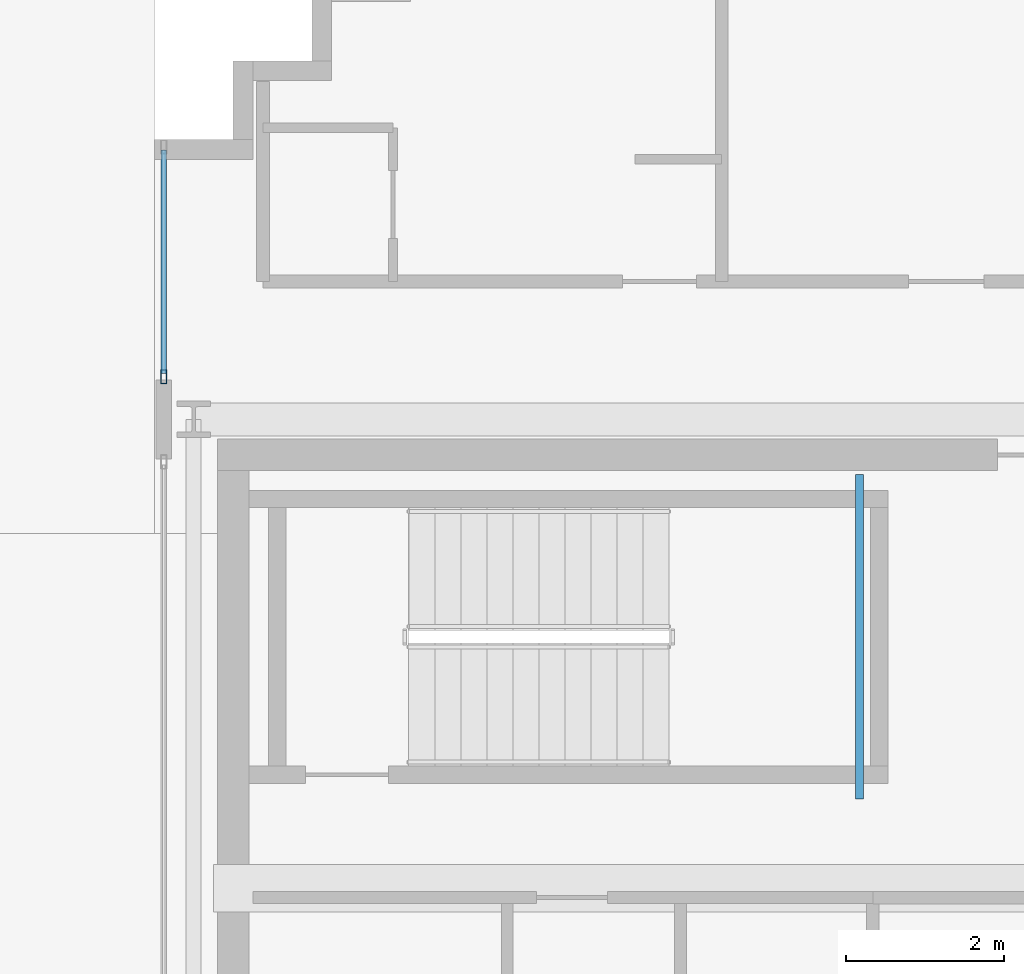
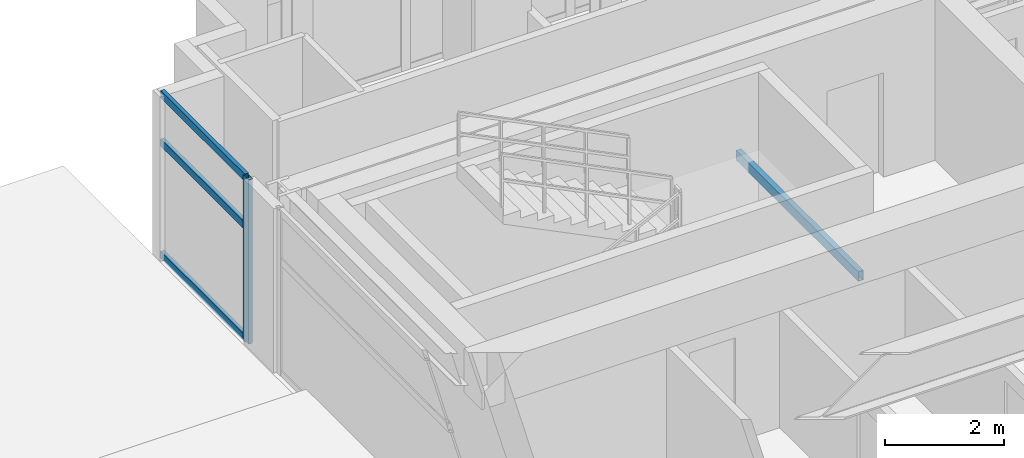
# One storey, part 13 of 25: 4 members, 1 beam, 1 element without a shape of its own.
"""IFC4 building model written with IfcOpenShell, lengths in metres."""

from ifc_helpers import new_model, si_unit, direction, frame, origin, origin_2d, place, context, subcontext, project, spatial, hollow_rectangle, extrude, source, transform, mapped, material, layer, layer_set, material_profile, profile_set, type_object, element, aggregate, save


model = new_model("IFC4")

# Units and contexts
model_context = context("Model", 3, precision=1e-05, world=origin(), true_north=direction((0.0, 1.0)))
body_context = subcontext(model_context, "Body", "Model", "MODEL_VIEW")
ifc_project = project(units=[si_unit("LENGTHUNIT", "METRE"), si_unit("AREAUNIT", "SQUARE_METRE"), si_unit("VOLUMEUNIT", "CUBIC_METRE"), si_unit("PLANEANGLEUNIT", "RADIAN"), si_unit("MASSUNIT", "GRAM", prefix="KILO")], contexts=[model_context])

# Site, building, storey
site_placement = place(None, origin())
site = spatial("IfcSite", under=ifc_project, at=site_placement, CompositionType="ELEMENT")
building_placement = place(site_placement, origin())
building = spatial("IfcBuilding", under=site, at=building_placement, Name="Ocotamira Hotel", CompositionType="ELEMENT")
storey_placement = place(building_placement, frame((0.0, 0.0, 250.800048828125)))
storey = spatial("IfcBuildingStorey", under=building, at=storey_placement, Name="L63", CompositionType="ELEMENT", Elevation=250.800048828125)

# Beam
ifc_material_1 = material(Name="Steel ASTM A500 Grade C", Category="steel")
ifc_material_profile_1 = material_profile(ifc_material_1, hollow_rectangle(XDim=0.10009765625, YDim=0.199951171875, WallThickness=0.008056640625, at=origin_2d()), Name="HSS200X100X8")
ifc_profile_set_1 = profile_set([ifc_material_profile_1], Name="Steel ASTM A500 Grade C")
beam_type = type_object("IfcBeamType", Name="BM-STLDG-HSS200", PredefinedType="BEAM", material=ifc_profile_set_1)
shared_shape_1 = source(origin(), body_context, "Body", "SweptSolid", [
    extrude(hollow_rectangle(XDim=0.10009765625, YDim=0.199951171875, WallThickness=0.008056640625, at=origin_2d()), origin(), (0.0, 0.0, 1.0), 4.1201171875),
])
beam_placement = place(storey_placement, frame((48.949951171875, 32.6298828125, 1.5), z_axis=(0.0, 1.0, 0.0), x_axis=(-1.0, 0.0, 0.0)))
element("IfcBeam", 1, at=beam_placement, inside=storey, type_object=beam_type, Name="L63 Stair ST-4 Landing Bearer 1", PredefinedType="BEAM", context=body_context, shape_type="MappedRepresentation", body=[
    mapped(shared_shape_1, transform((0.0, 0.0, 0.0), scale=1.0)),
])

# Curtain wall, members
ifc_material_2 = material(Name="Anodised pale-metal aluminium and solar glass", Category="aluminium")
ifc_layer = layer(ifc_material_2, 0.2099609375)
ifc_layer_set = layer_set([ifc_layer], Name="Anodised pale-metal aluminium and solar glass")
curtain_wall_type = type_object("IfcCurtainWallType", Name="CW-SYS7-PEAK", PredefinedType="NOTDEFINED", material=ifc_layer_set)
curtain_wall_placement = place(storey_placement, origin())
curtain_wall = element("IfcCurtainWall", 2, at=curtain_wall_placement, inside=storey, type_object=curtain_wall_type, Name="L63 Curtain Wall CW-7 CW-L63-EI4", PredefinedType="NOTDEFINED")
ifc_material_3 = material(Name="Anodised pale-metal aluminium 6063-T6", Category="aluminium")
ifc_material_profile_2 = material_profile(ifc_material_3, hollow_rectangle(XDim=0.080078125, YDim=0.179931640625, WallThickness=0.006103515625, at=origin_2d()), Name="HSS180X80X6")
ifc_profile_set_2 = profile_set([ifc_material_profile_2], Name="Anodised pale-metal aluminium 6063-T6")
member_type_1 = type_object("IfcMemberType", Name="CWM-180X75", PredefinedType="MULLION", material=ifc_profile_set_2)
shared_shape_2 = source(origin(), body_context, "Body", "SweptSolid", [
    extrude(hollow_rectangle(XDim=0.080078125, YDim=0.179931640625, WallThickness=0.006103515625, at=origin_2d()), origin(), (0.0, 0.0, 1.0), 3.3798828125),
])
member_1_placement = place(storey_placement, frame((40.1201171875, 37.989990234375, 0.0), z_axis=(0.0, 0.0, 1.0), x_axis=(-1.0, 0.0, 0.0)))
member_1 = element("IfcMember", 3, at=member_1_placement, type_object=member_type_1, Name="CW-7 mullion 1", PredefinedType="MULLION", context=body_context, shape_type="MappedRepresentation", body=[
    mapped(shared_shape_2, transform((0.0, 0.0, 0.0), scale=1.0)),
])
ifc_material_profile_3 = material_profile(ifc_material_3, hollow_rectangle(XDim=0.074951171875, YDim=0.14990234375, WallThickness=0.006103515625, at=origin_2d()), Name="HSS150X75X6")
ifc_profile_set_3 = profile_set([ifc_material_profile_3], Name="Anodised pale-metal aluminium 6063-T6")
member_type_2 = type_object("IfcMemberType", Name="CWT-150X75", PredefinedType="USERDEFINED", material=ifc_profile_set_3)
shared_shape_3 = source(origin(), body_context, "Body", "SweptSolid", [
    extrude(hollow_rectangle(XDim=0.074951171875, YDim=0.14990234375, WallThickness=0.006103515625, at=origin_2d()), origin(), (0.0, 0.0, 1.0), 2.840087890625),
])
member_2_placement = place(storey_placement, frame((40.1201171875, 38.030029296875, 0.037353515625), z_axis=(0.0, 1.0, 0.0), x_axis=(-1.0, 0.0, 0.0)))
member_2 = element("IfcMember", 4, at=member_2_placement, type_object=member_type_2, Name="CW-7 transom 1.1", ObjectType="TRANSOM", PredefinedType="USERDEFINED", context=body_context, shape_type="MappedRepresentation", body=[
    mapped(shared_shape_3, transform((0.0, 0.0, 0.0), scale=1.0)),
])
member_3_placement = place(storey_placement, frame((40.1201171875, 38.030029296875, 2.349853515625), z_axis=(0.0, 1.0, 0.0), x_axis=(-1.0, 0.0, 0.0)))
member_3 = element("IfcMember", 5, at=member_3_placement, type_object=member_type_2, Name="CW-7 transom 1.2", ObjectType="TRANSOM", PredefinedType="USERDEFINED", context=body_context, shape_type="MappedRepresentation", body=[
    mapped(shared_shape_3, transform((0.0, 0.0, 0.0), scale=1.0)),
])
member_4_placement = place(storey_placement, frame((40.1201171875, 38.030029296875, 3.342529296875), z_axis=(0.0, 1.0, 0.0), x_axis=(-1.0, 0.0, 0.0)))
member_4 = element("IfcMember", 6, at=member_4_placement, type_object=member_type_2, Name="CW-7 transom 1.3", ObjectType="TRANSOM", PredefinedType="USERDEFINED", context=body_context, shape_type="MappedRepresentation", body=[
    mapped(shared_shape_3, transform((0.0, 0.0, 0.0), scale=1.0)),
])
aggregate(curtain_wall, [member_1, member_2, member_3, member_4])

save(model, "model.ifc")
